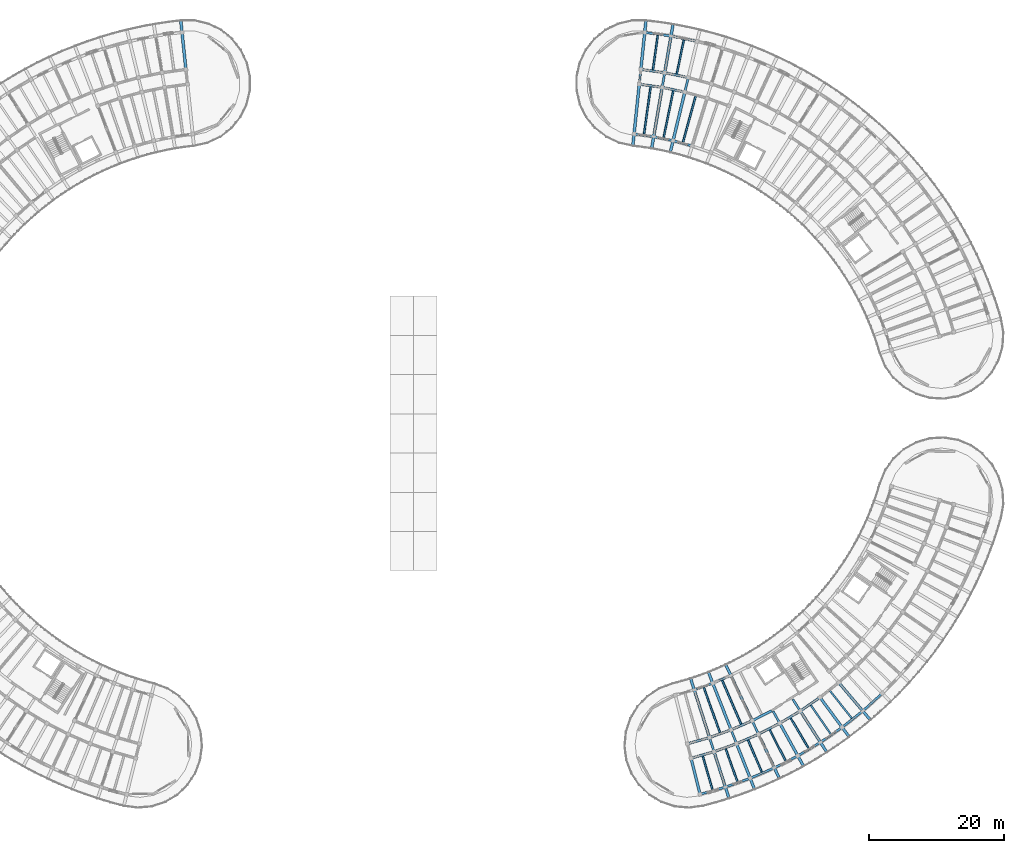
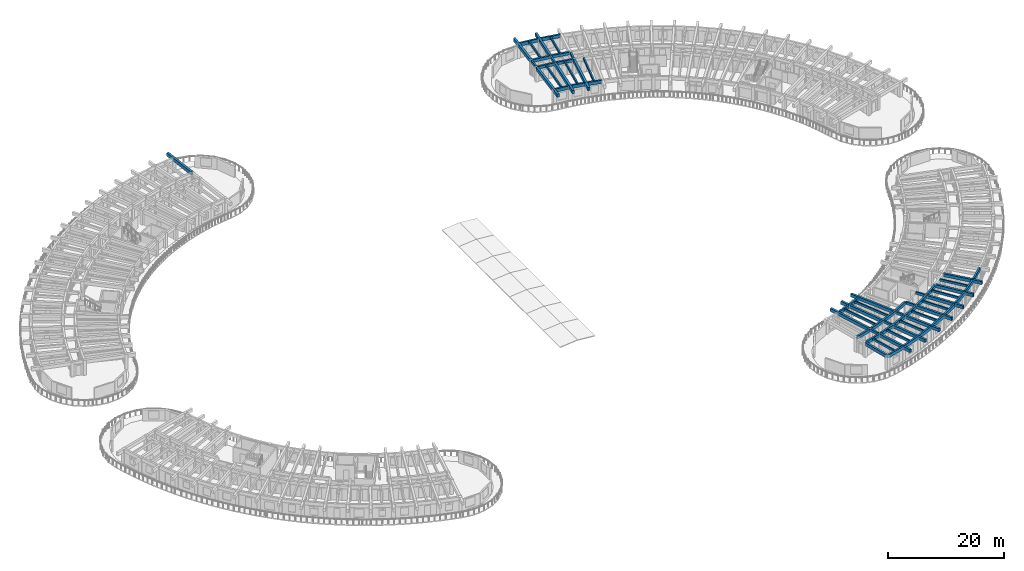
# One storey, part 11 of 69: 68 beams.
"""IFC4 building model written with IfcOpenShell, lengths in metres."""

from ifc_helpers import new_model, si_unit, direction, frame, origin, origin_2d, place, context, subcontext, project, spatial, rectangle, extrude, material, material_profile, profile_set, type_object, element, save


model = new_model("IFC4")

# Units and contexts
model_context = context("Model", 3, precision=1e-05, world=origin(), true_north=direction((0.0, 1.0)))
body_context = subcontext(model_context, "Body", "Model", "MODEL_VIEW")
ifc_project = project(units=[si_unit("LENGTHUNIT", "METRE"), si_unit("AREAUNIT", "SQUARE_METRE"), si_unit("VOLUMEUNIT", "CUBIC_METRE"), si_unit("PLANEANGLEUNIT", "RADIAN"), si_unit("MASSUNIT", "GRAM", prefix="KILO")], contexts=[model_context])

# Site, building, storey
site_placement = place(None, origin())
site = spatial("IfcSite", under=ifc_project, at=site_placement, CompositionType="ELEMENT")
building_placement = place(site_placement, origin())
building = spatial("IfcBuilding", under=site, at=building_placement, Name="Tanwirah Colonnade Gardens", CompositionType="ELEMENT")
storey_placement = place(building_placement, frame((0.0, 0.0, 15.56005859375)))
storey = spatial("IfcBuildingStorey", under=building, at=storey_placement, Name="L04", CompositionType="ELEMENT", Elevation=15.56005859375)

# Beams
ifc_material_1 = material(Name="Precast concrete C40/50", Category="concrete")
ifc_material_profile_1 = material_profile(ifc_material_1, rectangle(XDim=0.360107421875, YDim=0.610107421875, at=origin_2d()), Name="PC-BM 360x610")
ifc_profile_set_1 = profile_set([ifc_material_profile_1], Name="Precast concrete C40/50")
beam_type_1 = type_object("IfcBeamType", Name="BM-PC300", PredefinedType="BEAM", material=ifc_profile_set_1)
beam_1_placement = place(storey_placement, frame((133.68798828125, 14.231201171875, 2.804931640625), z_axis=(0.961865763464, 0.273521942585, 0.0), x_axis=(-0.273521942585, 0.961865763464, 0.0)))
element("IfcBeam", 1, at=beam_1_placement, inside=storey, type_object=beam_type_1, Name="Block D L04 Circumferential Beam 0-R1", PredefinedType="BEAM", context=body_context, shape_type="SweptSolid", body=[
    extrude(rectangle(XDim=0.360107421875, YDim=0.610107421875, at=origin_2d()), origin(), (0.0, 0.0, 1.0), 3.0927734375),
])
beam_2_placement = place(storey_placement, frame((134.22021484375, 12.096435546875, 2.804931640625), z_axis=(0.96185623635, 0.273555443366, 0.0), x_axis=(-0.273555443366, 0.96185623635, 0.0)))
element("IfcBeam", 2, at=beam_2_placement, inside=storey, type_object=beam_type_1, Name="Block D L04 Circumferential Beam 0-R2", PredefinedType="BEAM", context=body_context, shape_type="SweptSolid", body=[
    extrude(rectangle(XDim=0.360107421875, YDim=0.610107421875, at=origin_2d()), origin(), (0.0, 0.0, 1.0), 3.237060546875),
])
beam_3_placement = place(storey_placement, frame((136.948486328125, 15.168701171875, 2.804931640625), z_axis=(0.941911444877, 0.335861325564, 0.0), x_axis=(-0.335861325564, 0.941911444877, 0.0)))
element("IfcBeam", 3, at=beam_3_placement, inside=storey, type_object=beam_type_1, Name="Block D L04 Circumferential Beam 1-R1", PredefinedType="BEAM", context=body_context, shape_type="SweptSolid", body=[
    extrude(rectangle(XDim=0.360107421875, YDim=0.610107421875, at=origin_2d()), origin(), (0.0, 0.0, 1.0), 3.093017578125),
])
beam_4_placement = place(storey_placement, frame((137.619140625, 13.073486328125, 2.804931640625), z_axis=(0.941917534978, 0.335844245597, 0.0), x_axis=(-0.335844245597, 0.941917534978, 0.0)))
element("IfcBeam", 4, at=beam_4_placement, inside=storey, type_object=beam_type_1, Name="Block D L04 Circumferential Beam 1-R2", PredefinedType="BEAM", context=body_context, shape_type="SweptSolid", body=[
    extrude(rectangle(XDim=0.360107421875, YDim=0.610107421875, at=origin_2d()), origin(), (0.0, 0.0, 1.0), 3.237060546875),
])
beam_5_placement = place(storey_placement, frame((140.140869140625, 16.3173828125, 2.804931640625), z_axis=(0.917936292782, 0.396727819032, 0.0), x_axis=(-0.396727819032, 0.917936292782, 0.0)))
element("IfcBeam", 5, at=beam_5_placement, inside=storey, type_object=beam_type_1, Name="Block D L04 Circumferential Beam 2-R1", PredefinedType="BEAM", context=body_context, shape_type="SweptSolid", body=[
    extrude(rectangle(XDim=0.360107421875, YDim=0.610107421875, at=origin_2d()), origin(), (0.0, 0.0, 1.0), 3.093017578125),
])
beam_6_placement = place(storey_placement, frame((140.947021484375, 14.2705078125, 2.804931640625), z_axis=(0.917943156181, 0.396711938338, 0.0), x_axis=(-0.396711938338, 0.917943156181, 0.0)))
element("IfcBeam", 6, at=beam_6_placement, inside=storey, type_object=beam_type_1, Name="Block D L04 Circumferential Beam 2-R2", PredefinedType="BEAM", context=body_context, shape_type="SweptSolid", body=[
    extrude(rectangle(XDim=0.360107421875, YDim=0.610107421875, at=origin_2d()), origin(), (0.0, 0.0, 1.0), 3.237060546875),
])
beam_7_placement = place(storey_placement, frame((143.2509765625, 17.67236328125, 2.804931640625), z_axis=(0.890027741769, 0.45590637074, 0.0), x_axis=(-0.45590637074, 0.890027741769, 0.0)))
element("IfcBeam", 7, at=beam_7_placement, inside=storey, type_object=beam_type_1, Name="Block D L04 Circumferential Beam 3-R1", PredefinedType="BEAM", context=body_context, shape_type="SweptSolid", body=[
    extrude(rectangle(XDim=0.360107421875, YDim=0.610107421875, at=origin_2d()), origin(), (0.0, 0.0, 1.0), 3.093017578125),
])
beam_8_placement = place(storey_placement, frame((144.189453125, 15.6826171875, 2.804931640625), z_axis=(0.890025451153, 0.45591084249, 0.0), x_axis=(-0.45591084249, 0.890025451153, 0.0)))
element("IfcBeam", 8, at=beam_8_placement, inside=storey, type_object=beam_type_1, Name="Block D L04 Circumferential Beam 3-R2", PredefinedType="BEAM", context=body_context, shape_type="SweptSolid", body=[
    extrude(rectangle(XDim=0.360107421875, YDim=0.610107421875, at=origin_2d()), origin(), (0.0, 0.0, 1.0), 3.237060546875),
])
beam_9_placement = place(storey_placement, frame((147.332763671875, 17.3037109375, 2.804931640625), z_axis=(0.858270604513, 0.513197398111, 0.0), x_axis=(-0.513197398111, 0.858270604513, 0.0)))
element("IfcBeam", 9, at=beam_9_placement, inside=storey, type_object=beam_type_1, Name="Block D L04 Circumferential Beam 4-R2", PredefinedType="BEAM", context=body_context, shape_type="SweptSolid", body=[
    extrude(rectangle(XDim=0.360107421875, YDim=0.610107421875, at=origin_2d()), origin(), (0.0, 0.0, 1.0), 3.23681640625),
])
beam_10_placement = place(storey_placement, frame((150.363037109375, 19.126953125, 2.804931640625), z_axis=(0.822889344221, 0.568201660651, 0.0), x_axis=(-0.568201660651, 0.822889344221, 0.0)))
element("IfcBeam", 10, at=beam_10_placement, inside=storey, type_object=beam_type_1, Name="Block D L04 Circumferential Beam 5-R2", PredefinedType="BEAM", context=body_context, shape_type="SweptSolid", body=[
    extrude(rectangle(XDim=0.360107421875, YDim=0.610107421875, at=origin_2d()), origin(), (0.0, 0.0, 1.0), 3.237060546875),
])
ifc_material_profile_2 = material_profile(ifc_material_1, rectangle(XDim=0.320068359375, YDim=0.52001953125, at=origin_2d()), Name="PC-BM 320x520")
ifc_profile_set_2 = profile_set([ifc_material_profile_2], Name="Precast concrete C40/50")
beam_type_2 = type_object("IfcBeamType", Name="BM-PC320", PredefinedType="BEAM", material=ifc_profile_set_2)
for number, where, z_axis, x_axis, name in (
    (11, (133.188232421875, 110.75146484375, 2.849853515625), (0.234364199778, 0.972148868159, 0.0), (-0.972148868159, 0.234364199778, 0.0), "Block B L04 Corridor Tie Beam 16"),
    (12, (129.8310546875, 111.444580078125, 2.849853515625), (0.169855285462, 0.985469016256, 0.0), (-0.985469016256, 0.169855285462, 0.0), "Block B L04 Corridor Tie Beam 17"),
    (13, (126.435546875, 111.9150390625, 2.849853515625), (0.104464057197, 0.994528662611, 0.0), (-0.994528662611, 0.104464057197, 0.0), "Block B L04 Corridor Tie Beam 18"),
):
    element("IfcBeam", number, at=place(storey_placement, frame(where, z_axis=z_axis, x_axis=x_axis)), inside=storey, type_object=beam_type_2, Name=name, PredefinedType="BEAM", context=body_context, shape_type="SweptSolid", body=[
        extrude(rectangle(XDim=0.320068359375, YDim=0.52001953125, at=origin_2d()), origin(), (0.0, 0.0, 1.0), 1.900146484375),
    ])
beam_11_placement = place(storey_placement, frame((136.85302734375, 14.975341796875, 2.849853515625), z_axis=(0.304794376797, -0.952418179096, 0.0), x_axis=(0.952418179096, 0.304794376797, 0.0)))
element("IfcBeam", 14, at=beam_11_placement, inside=storey, type_object=beam_type_2, Name="Block D L04 Corridor Tie Beam 1", PredefinedType="BEAM", context=body_context, shape_type="SweptSolid", body=[
    extrude(rectangle(XDim=0.320068359375, YDim=0.52001953125, at=origin_2d()), origin(), (0.0, 0.0, 1.0), 1.89990234375),
])
beam_12_placement = place(storey_placement, frame((140.05810546875, 16.1181640625, 2.849853515625), z_axis=(0.366511033969, -0.930413704746, 0.0), x_axis=(0.930413704746, 0.366511033969, 0.0)))
element("IfcBeam", 15, at=beam_12_placement, inside=storey, type_object=beam_type_2, Name="Block D L04 Corridor Tie Beam 2", PredefinedType="BEAM", context=body_context, shape_type="SweptSolid", body=[
    extrude(rectangle(XDim=0.320068359375, YDim=0.52001953125, at=origin_2d()), origin(), (0.0, 0.0, 1.0), 1.899658203125),
])
beam_13_placement = place(storey_placement, frame((143.181640625, 17.46826171875, 2.849853515625), z_axis=(0.426483812015, -0.904495195172, 0.0), x_axis=(0.904495195172, 0.426483812015, 0.0)))
element("IfcBeam", 16, at=beam_13_placement, inside=storey, type_object=beam_type_2, Name="Block D L04 Corridor Tie Beam 3", PredefinedType="BEAM", context=body_context, shape_type="SweptSolid", body=[
    extrude(rectangle(XDim=0.320068359375, YDim=0.52001953125, at=origin_2d()), origin(), (0.0, 0.0, 1.0), 1.89990234375),
])
beam_14_placement = place(storey_placement, frame((146.210205078125, 19.019775390625, 2.849853515625), z_axis=(0.484791759649, -0.874629607192, 0.0), x_axis=(0.874629607192, 0.484791759649, 0.0)))
element("IfcBeam", 17, at=beam_14_placement, inside=storey, type_object=beam_type_2, Name="Block D L04 Corridor Tie Beam 4", PredefinedType="BEAM", context=body_context, shape_type="SweptSolid", body=[
    extrude(rectangle(XDim=0.320068359375, YDim=0.52001953125, at=origin_2d()), origin(), (0.0, 0.0, 1.0), 1.900146484375),
])
beam_15_placement = place(storey_placement, frame((149.130615234375, 20.765869140625, 2.849853515625), z_axis=(0.540984881989, -0.841032316537, 0.0), x_axis=(0.841032316537, 0.540984881989, 0.0)))
element("IfcBeam", 18, at=beam_15_placement, inside=storey, type_object=beam_type_2, Name="Block D L04 Corridor Tie Beam 5", PredefinedType="BEAM", context=body_context, shape_type="SweptSolid", body=[
    extrude(rectangle(XDim=0.320068359375, YDim=0.52001953125, at=origin_2d()), origin(), (0.0, 0.0, 1.0), 1.89990234375),
])
ifc_material_profile_3 = material_profile(ifc_material_1, rectangle(XDim=0.35009765625, YDim=0.60009765625, at=origin_2d()), Name="PC-BM 350x600")
ifc_profile_set_3 = profile_set([ifc_material_profile_3], Name="Precast concrete C40/50")
beam_type_3 = type_object("IfcBeamType", Name="BM-PC350B", PredefinedType="BEAM", material=ifc_profile_set_3)
beam_16_placement = place(storey_placement, frame((133.006103515625, 110.635986328125, 2.81005859375), z_axis=(-0.979335880607, 0.202240532428, 0.0), x_axis=(-0.202240532428, -0.979335880607, 0.0)))
element("IfcBeam", 19, at=beam_16_placement, inside=storey, type_object=beam_type_3, Name="Block B L04 Circumferential Beam 16-R1", PredefinedType="BEAM", context=body_context, shape_type="SweptSolid", body=[
    extrude(rectangle(XDim=0.35009765625, YDim=0.60009765625, at=origin_2d()), origin(), (0.0, 0.0, 1.0), 3.1181640625),
])
beam_17_placement = place(storey_placement, frame((133.521728515625, 112.774658203125, 2.81005859375), z_axis=(-0.979335599813, 0.202241892146, 0.0), x_axis=(-0.202241892146, -0.979335599813, 0.0)))
element("IfcBeam", 20, at=beam_17_placement, inside=storey, type_object=beam_type_3, Name="Block B L04 Circumferential Beam 16-R2", PredefinedType="BEAM", context=body_context, shape_type="SweptSolid", body=[
    extrude(rectangle(XDim=0.35009765625, YDim=0.60009765625, at=origin_2d()), origin(), (0.0, 0.0, 1.0), 3.262939453125),
])
beam_18_placement = place(storey_placement, frame((129.656982421875, 111.3173828125, 2.81005859375), z_axis=(-0.990535787723, 0.137254702069, 0.0), x_axis=(-0.137254702069, -0.990535787723, 0.0)))
element("IfcBeam", 21, at=beam_18_placement, inside=storey, type_object=beam_type_3, Name="Block B L04 Circumferential Beam 17-R1", PredefinedType="BEAM", context=body_context, shape_type="SweptSolid", body=[
    extrude(rectangle(XDim=0.35009765625, YDim=0.60009765625, at=origin_2d()), origin(), (0.0, 0.0, 1.0), 3.1181640625),
])
beam_19_placement = place(storey_placement, frame((130.030517578125, 113.4853515625, 2.81005859375), z_axis=(-0.990530465749, 0.13729310406, 0.0), x_axis=(-0.13729310406, -0.990530465749, 0.0)))
element("IfcBeam", 22, at=beam_19_placement, inside=storey, type_object=beam_type_3, Name="Block B L04 Circumferential Beam 17-R2", PredefinedType="BEAM", context=body_context, shape_type="SweptSolid", body=[
    extrude(rectangle(XDim=0.35009765625, YDim=0.60009765625, at=origin_2d()), origin(), (0.0, 0.0, 1.0), 3.26318359375),
])
ifc_material_2 = material(Name="Precast concrete C45/55", Category="concrete")
ifc_material_profile_4 = material_profile(ifc_material_2, rectangle(XDim=0.39990234375, YDim=0.64990234375, at=origin_2d()), Name="PC-BM 400x650")
ifc_profile_set_4 = profile_set([ifc_material_profile_4], Name="Precast concrete C45/55")
beam_type_4 = type_object("IfcBeamType", Name="BM-PC400", PredefinedType="BEAM", material=ifc_profile_set_4)
beam_20_placement = place(storey_placement, frame((134.112060546875, 11.909912109375, 2.784912109375), z_axis=(0.241939024015, -0.970291455522, 0.0), x_axis=(0.970291455522, 0.241939024015, 0.0)))
element("IfcBeam", 23, at=beam_20_placement, inside=storey, type_object=beam_type_4, Name="Block D L04 Outer Radial Precast Girder 0", PredefinedType="BEAM", context=body_context, shape_type="SweptSolid", body=[
    extrude(rectangle(XDim=0.39990234375, YDim=0.64990234375, at=origin_2d()), origin(), (0.0, 0.0, 1.0), 5.199951171875),
])
beam_21_placement = place(storey_placement, frame((136.761474609375, 15.26123046875, 2.784912109375), z_axis=(-0.304862826508, 0.952396270999, 0.0), x_axis=(-0.952396270999, -0.304862826508, 0.0)))
element("IfcBeam", 24, at=beam_21_placement, inside=storey, type_object=beam_type_4, Name="Block D L04 Inner Radial Precast Girder 1", PredefinedType="BEAM", context=body_context, shape_type="SweptSolid", body=[
    extrude(rectangle(XDim=0.39990234375, YDim=0.64990234375, at=origin_2d()), origin(), (0.0, 0.0, 1.0), 8.949951171875),
])
beam_22_placement = place(storey_placement, frame((137.523681640625, 12.880126953125, 2.784912109375), z_axis=(0.304849862001, -0.952400420851, 0.0), x_axis=(0.952400420851, 0.304849862001, 0.0)))
element("IfcBeam", 25, at=beam_22_placement, inside=storey, type_object=beam_type_4, Name="Block D L04 Outer Radial Precast Girder 1", PredefinedType="BEAM", context=body_context, shape_type="SweptSolid", body=[
    extrude(rectangle(XDim=0.39990234375, YDim=0.64990234375, at=origin_2d()), origin(), (0.0, 0.0, 1.0), 7.050048828125),
])
beam_23_placement = place(storey_placement, frame((139.947998046875, 16.3974609375, 2.784912109375), z_axis=(-0.36648945479, 0.930422204984, 0.0), x_axis=(-0.930422204984, -0.36648945479, 0.0)))
element("IfcBeam", 26, at=beam_23_placement, inside=storey, type_object=beam_type_4, Name="Block D L04 Inner Radial Precast Girder 2", PredefinedType="BEAM", context=body_context, shape_type="SweptSolid", body=[
    extrude(rectangle(XDim=0.39990234375, YDim=0.64990234375, at=origin_2d()), origin(), (0.0, 0.0, 1.0), 8.949951171875),
])
beam_24_placement = place(storey_placement, frame((140.8642578125, 14.0712890625, 2.784912109375), z_axis=(0.366525426804, -0.930408034953, 0.0), x_axis=(0.930408034953, 0.366525426804, 0.0)))
element("IfcBeam", 27, at=beam_24_placement, inside=storey, type_object=beam_type_4, Name="Block D L04 Outer Radial Precast Girder 2", PredefinedType="BEAM", context=body_context, shape_type="SweptSolid", body=[
    extrude(rectangle(XDim=0.39990234375, YDim=0.64990234375, at=origin_2d()), origin(), (0.0, 0.0, 1.0), 7.050048828125),
])
beam_25_placement = place(storey_placement, frame((143.0537109375, 17.73974609375, 2.784912109375), z_axis=(-0.426582468098, 0.904448670689, 0.0), x_axis=(-0.904448670689, -0.426582468098, 0.0)))
element("IfcBeam", 28, at=beam_25_placement, inside=storey, type_object=beam_type_4, Name="Block D L04 Inner Radial Precast Girder 3", PredefinedType="BEAM", context=body_context, shape_type="SweptSolid", body=[
    extrude(rectangle(XDim=0.39990234375, YDim=0.64990234375, at=origin_2d()), origin(), (0.0, 0.0, 1.0), 8.949951171875),
])
beam_26_placement = place(storey_placement, frame((144.1201171875, 15.478515625, 2.784912109375), z_axis=(0.426567365945, -0.904455793453, 0.0), x_axis=(0.904455793453, 0.426567365945, 0.0)))
element("IfcBeam", 29, at=beam_26_placement, inside=storey, type_object=beam_type_4, Name="Block D L04 Outer Radial Precast Girder 3", PredefinedType="BEAM", context=body_context, shape_type="SweptSolid", body=[
    extrude(rectangle(XDim=0.39990234375, YDim=0.64990234375, at=origin_2d()), origin(), (0.0, 0.0, 1.0), 7.050048828125),
])
beam_27_placement = place(storey_placement, frame((147.276611328125, 17.095703125, 2.784912109375), z_axis=(0.484804753745, -0.874622404667, 0.0), x_axis=(0.874622404667, 0.484804753745, 0.0)))
element("IfcBeam", 30, at=beam_27_placement, inside=storey, type_object=beam_type_4, Name="Block D L04 Outer Radial Precast Girder 4", PredefinedType="BEAM", context=body_context, shape_type="SweptSolid", body=[
    extrude(rectangle(XDim=0.39990234375, YDim=0.64990234375, at=origin_2d()), origin(), (0.0, 0.0, 1.0), 7.05029296875),
])
for number, where, z_axis, x_axis, name in (
    (31, (150.32080078125, 18.915771484375, 2.784912109375), (0.540976349149, -0.841037805132, 0.0), (0.841037805132, 0.540976349149, 0.0), "Block D L04 Outer Radial Precast Girder 5"),
    (32, (153.239501953125, 20.930908203125, 2.784912109375), (0.594806754627, -0.803868723518, 0.0), (0.803868723518, 0.594806754627, 0.0), "Block D L04 Outer Radial Precast Girder 6"),
    (33, (156.02001953125, 23.1328125, 2.784912109375), (0.646119193339, -0.763236521663, 0.0), (0.763236521663, 0.646119193339, 0.0), "Block D L04 Outer Radial Precast Girder 7"),
):
    element("IfcBeam", number, at=place(storey_placement, frame(where, z_axis=z_axis, x_axis=x_axis)), inside=storey, type_object=beam_type_4, Name=name, PredefinedType="BEAM", context=body_context, shape_type="SweptSolid", body=[
        extrude(rectangle(XDim=0.39990234375, YDim=0.64990234375, at=origin_2d()), origin(), (0.0, 0.0, 1.0), 7.050048828125),
    ])
ifc_material_profile_5 = material_profile(ifc_material_2, rectangle(XDim=0.419921875, YDim=0.679931640625, at=origin_2d()), Name="PC-BM 420x680")
ifc_profile_set_5 = profile_set([ifc_material_profile_5], Name="Precast concrete C45/55")
beam_type_5 = type_object("IfcBeamType", Name="BM-PC420", PredefinedType="BEAM", material=ifc_profile_set_5)
beam_28_placement = place(storey_placement, frame((59.33447265625, 114.10302734375, 2.77001953125), z_axis=(-0.104511730475, 0.994523653913, 0.0), x_axis=(-0.994523653913, -0.104511730475, 0.0)))
element("IfcBeam", 34, at=beam_28_placement, inside=storey, type_object=beam_type_5, Name="Block A L04 Outer Radial Precast Girder 0", PredefinedType="BEAM", context=body_context, shape_type="SweptSolid", body=[
    extrude(rectangle(XDim=0.419921875, YDim=0.679931640625, at=origin_2d()), origin(), (0.0, 0.0, 1.0), 7.050048828125),
])
for number, where, z_axis, x_axis, name in (
    (35, (133.117919921875, 110.459716796875, 2.77001953125), (-0.234401428133, -0.972139892448, 0.0), (0.972139892448, -0.234401428133, 0.0), "Block B L04 Inner Radial Precast Girder 16"),
    (36, (129.780029296875, 111.14892578125, 2.77001953125), (-0.169837490725, -0.985472083189, 0.0), (0.985472083189, -0.169837490725, 0.0), "Block B L04 Inner Radial Precast Girder 17"),
):
    element("IfcBeam", number, at=place(storey_placement, frame(where, z_axis=z_axis, x_axis=x_axis)), inside=storey, type_object=beam_type_5, Name=name, PredefinedType="BEAM", context=body_context, shape_type="SweptSolid", body=[
        extrude(rectangle(XDim=0.419921875, YDim=0.679931640625, at=origin_2d()), origin(), (0.0, 0.0, 1.0), 8.949951171875),
    ])
beam_29_placement = place(storey_placement, frame((130.20458984375, 113.61279296875, 2.77001953125), z_axis=(0.169826898404, 0.985473908624, 0.0), x_axis=(-0.985473908624, 0.169826898404, 0.0)))
element("IfcBeam", 37, at=beam_29_placement, inside=storey, type_object=beam_type_5, Name="Block B L04 Outer Radial Precast Girder 17", PredefinedType="BEAM", context=body_context, shape_type="SweptSolid", body=[
    extrude(rectangle(XDim=0.419921875, YDim=0.679931640625, at=origin_2d()), origin(), (0.0, 0.0, 1.0), 7.0498046875),
])
beam_30_placement = place(storey_placement, frame((126.404052734375, 111.61669921875, 2.77001953125), z_axis=(-0.104531425475, -0.994521584023, 0.0), x_axis=(0.994521584023, -0.104531425475, 0.0)))
element("IfcBeam", 38, at=beam_30_placement, inside=storey, type_object=beam_type_5, Name="Block B L04 Inner Radial Precast Girder 18", PredefinedType="BEAM", context=body_context, shape_type="SweptSolid", body=[
    extrude(rectangle(XDim=0.419921875, YDim=0.679931640625, at=origin_2d()), origin(), (0.0, 0.0, 1.0), 8.949951171875),
])
beam_31_placement = place(storey_placement, frame((126.66552734375, 114.10302734375, 2.77001953125), z_axis=(0.104511730475, 0.994523653913, 0.0), x_axis=(-0.994523653913, 0.104511730475, 0.0)))
element("IfcBeam", 39, at=beam_31_placement, inside=storey, type_object=beam_type_5, Name="Block B L04 Outer Radial Precast Girder 18", PredefinedType="BEAM", context=body_context, shape_type="SweptSolid", body=[
    extrude(rectangle(XDim=0.419921875, YDim=0.679931640625, at=origin_2d()), origin(), (0.0, 0.0, 1.0), 7.050048828125),
])
ifc_material_profile_6 = material_profile(ifc_material_1, rectangle(XDim=0.2548828125, YDim=0.455078125, at=origin_2d()), Name="PC-JST 255x455")
ifc_profile_set_6 = profile_set([ifc_material_profile_6], Name="Precast concrete C40/50")
beam_type_6 = type_object("IfcBeamType", Name="JST-PC240", PredefinedType="JOIST", material=ifc_profile_set_6)
for number, where, z_axis, x_axis, name in (
    (40, (135.817626953125, 12.39599609375, 2.88232421875), (0.27352550206, -0.961864751263, 0.0), (0.961864751263, 0.27352550206, 0.0), "Block D L04 Precast Floor Joist 0"),
    (41, (139.193603515625, 13.4765625, 2.88232421875), (0.335862957845, -0.941910862846, 0.0), (0.941910862846, 0.335862957845, 0.0), "Block D L04 Precast Floor Joist 1"),
):
    element("IfcBeam", number, at=place(storey_placement, frame(where, z_axis=z_axis, x_axis=x_axis)), inside=storey, type_object=beam_type_6, Name=name, PredefinedType="JOIST", context=body_context, shape_type="SweptSolid", body=[
        extrude(rectangle(XDim=0.2548828125, YDim=0.455078125, at=origin_2d()), origin(), (0.0, 0.0, 1.0), 5.260009765625),
    ])
beam_32_placement = place(storey_placement, frame((135.969482421875, 22.51904296875, 2.88232421875), z_axis=(0.335861148107, -0.941911508154, 0.0), x_axis=(0.941911508154, 0.335861148107, 0.0)))
element("IfcBeam", 42, at=beam_32_placement, inside=storey, type_object=beam_type_6, Name="Block D L04 Inner Precast Floor Joist 1", PredefinedType="JOIST", context=body_context, shape_type="SweptSolid", body=[
    extrude(rectangle(XDim=0.2548828125, YDim=0.455078125, at=origin_2d()), origin(), (0.0, 0.0, 1.0), 7.16015625),
])
beam_33_placement = place(storey_placement, frame((142.49169921875, 14.77587890625, 2.88232421875), z_axis=(0.396746282, -0.917928312952, 0.0), x_axis=(0.917928312952, 0.396746282, 0.0)))
element("IfcBeam", 43, at=beam_33_placement, inside=storey, type_object=beam_type_6, Name="Block D L04 Precast Floor Joist 2", PredefinedType="JOIST", context=body_context, shape_type="SweptSolid", body=[
    extrude(rectangle(XDim=0.2548828125, YDim=0.455078125, at=origin_2d()), origin(), (0.0, 0.0, 1.0), 5.260009765625),
])
beam_34_placement = place(storey_placement, frame((138.68310546875, 23.587890625, 2.88232421875), z_axis=(0.396736454079, -0.917932560706, 0.0), x_axis=(0.917932560706, 0.396736454079, 0.0)))
element("IfcBeam", 44, at=beam_34_placement, inside=storey, type_object=beam_type_6, Name="Block D L04 Inner Precast Floor Joist 2", PredefinedType="JOIST", context=body_context, shape_type="SweptSolid", body=[
    extrude(rectangle(XDim=0.2548828125, YDim=0.455078125, at=origin_2d()), origin(), (0.0, 0.0, 1.0), 7.159912109375),
])
for number, where, z_axis, x_axis, name in (
    (45, (145.697998046875, 16.287841796875, 2.88232421875), (0.455936851617, -0.890012127635, 0.0), (0.890012127635, 0.455936851617, 0.0), "Block D L04 Precast Floor Joist 3"),
    (46, (148.79833984375, 18.006591796875, 2.88232421875), (0.513157303227, -0.858294577721, 0.0), (0.858294577721, 0.513157303227, 0.0), "Block D L04 Precast Floor Joist 4"),
    (47, (151.779541015625, 19.924072265625, 2.88232421875), (0.56820792868, -0.822885016138, 0.0), (0.822885016138, 0.56820792868, 0.0), "Block D L04 Precast Floor Joist 5"),
    (48, (154.629150390625, 22.03271484375, 2.88232421875), (0.620787347885, -0.783978997617, 0.0), (0.783978997617, 0.620787347885, 0.0), "Block D L04 Precast Floor Joist 6"),
):
    element("IfcBeam", number, at=place(storey_placement, frame(where, z_axis=z_axis, x_axis=x_axis)), inside=storey, type_object=beam_type_6, Name=name, PredefinedType="JOIST", context=body_context, shape_type="SweptSolid", body=[
        extrude(rectangle(XDim=0.2548828125, YDim=0.455078125, at=origin_2d()), origin(), (0.0, 0.0, 1.0), 5.260009765625),
    ])
ifc_material_profile_7 = material_profile(ifc_material_1, rectangle(XDim=0.260009765625, YDim=0.4599609375, at=origin_2d()), Name="PC-JST 260x460")
ifc_profile_set_7 = profile_set([ifc_material_profile_7], Name="Precast concrete C40/50")
beam_type_7 = type_object("IfcBeamType", Name="JST-PC260", PredefinedType="JOIST", material=ifc_profile_set_7)
beam_35_placement = place(storey_placement, frame((132.869140625, 103.16064453125, 2.8798828125), z_axis=(0.266307034535, 0.963888252526, 0.0), x_axis=(-0.963888252526, 0.266307034535, 0.0)))
element("IfcBeam", 49, at=beam_35_placement, inside=storey, type_object=beam_type_7, Name="Block B L04 Inner Precast Floor Joist 15", PredefinedType="JOIST", context=body_context, shape_type="SweptSolid", body=[
    extrude(rectangle(XDim=0.260009765625, YDim=0.4599609375, at=origin_2d()), origin(), (0.0, 0.0, 1.0), 7.159912109375),
])
beam_36_placement = place(storey_placement, frame((131.9541015625, 113.2509765625, 2.8798828125), z_axis=(0.202235688429, 0.979336880918, 0.0), x_axis=(-0.979336880918, 0.202235688429, 0.0)))
element("IfcBeam", 50, at=beam_36_placement, inside=storey, type_object=beam_type_7, Name="Block B L04 Precast Floor Joist 16", PredefinedType="JOIST", context=body_context, shape_type="SweptSolid", body=[
    extrude(rectangle(XDim=0.260009765625, YDim=0.4599609375, at=origin_2d()), origin(), (0.0, 0.0, 1.0), 5.259765625),
])
beam_37_placement = place(storey_placement, frame((130.012939453125, 103.84912109375, 2.8798828125), z_axis=(0.202197428816, 0.979344780851, 0.0), x_axis=(-0.979344780851, 0.202197428816, 0.0)))
element("IfcBeam", 51, at=beam_37_placement, inside=storey, type_object=beam_type_7, Name="Block B L04 Inner Precast Floor Joist 16", PredefinedType="JOIST", context=body_context, shape_type="SweptSolid", body=[
    extrude(rectangle(XDim=0.260009765625, YDim=0.4599609375, at=origin_2d()), origin(), (0.0, 0.0, 1.0), 7.16015625),
])
beam_38_placement = place(storey_placement, frame((128.43505859375, 113.857421875, 2.8798828125), z_axis=(0.137248344923, 0.990536668587, 0.0), x_axis=(-0.990536668587, 0.137248344923, 0.0)))
element("IfcBeam", 52, at=beam_38_placement, inside=storey, type_object=beam_type_7, Name="Block B L04 Precast Floor Joist 17", PredefinedType="JOIST", context=body_context, shape_type="SweptSolid", body=[
    extrude(rectangle(XDim=0.260009765625, YDim=0.4599609375, at=origin_2d()), origin(), (0.0, 0.0, 1.0), 5.260009765625),
])
beam_39_placement = place(storey_placement, frame((127.117431640625, 104.34814453125, 2.8798828125), z_axis=(0.137243132462, 0.99053739081, 0.0), x_axis=(-0.99053739081, 0.137243132462, 0.0)))
element("IfcBeam", 53, at=beam_39_placement, inside=storey, type_object=beam_type_7, Name="Block B L04 Inner Precast Floor Joist 17", PredefinedType="JOIST", context=body_context, shape_type="SweptSolid", body=[
    extrude(rectangle(XDim=0.260009765625, YDim=0.4599609375, at=origin_2d()), origin(), (0.0, 0.0, 1.0), 7.16015625),
])
ifc_material_profile_8 = material_profile(ifc_material_1, rectangle(XDim=0.324951171875, YDim=0.68505859375, at=origin_2d()), Name="PC-SP 325x685")
ifc_profile_set_8 = profile_set([ifc_material_profile_8], Name="Precast concrete C40/50")
beam_type_8 = type_object("IfcBeamType", Name="SP-PC260", PredefinedType="SPANDREL", material=ifc_profile_set_8)
beam_40_placement = place(storey_placement, frame((135.55078125, 6.760009765625, 2.767333984375), z_axis=(0.96186131547, 0.273537583893, 0.0), x_axis=(-0.273537583893, 0.96186131547, 0.0)))
element("IfcBeam", 54, at=beam_40_placement, inside=storey, type_object=beam_type_8, Name="Block D L04 Circumferential Beam 0-R3", PredefinedType="SPANDREL", context=body_context, shape_type="SweptSolid", body=[
    extrude(rectangle(XDim=0.324951171875, YDim=0.68505859375, at=origin_2d()), origin(), (0.0, 0.0, 1.0), 3.596923828125),
])
beam_41_placement = place(storey_placement, frame((134.692626953125, 22.21630859375, 2.767333984375), z_axis=(0.941898499992, 0.335897626835, 0.0), x_axis=(-0.335897626835, 0.941898499992, 0.0)))
element("IfcBeam", 55, at=beam_41_placement, inside=storey, type_object=beam_type_8, Name="Block D L04 Circumferential Beam 1-R0", PredefinedType="SPANDREL", context=body_context, shape_type="SweptSolid", body=[
    extrude(rectangle(XDim=0.324951171875, YDim=0.68505859375, at=origin_2d()), origin(), (0.0, 0.0, 1.0), 2.608642578125),
])
beam_42_placement = place(storey_placement, frame((139.2958984375, 7.835205078125, 2.767333984375), z_axis=(0.941915315404, 0.335850470607, 0.0), x_axis=(-0.335850470607, 0.941915315404, 0.0)))
element("IfcBeam", 56, at=beam_42_placement, inside=storey, type_object=beam_type_8, Name="Block D L04 Circumferential Beam 1-R3", PredefinedType="SPANDREL", context=body_context, shape_type="SweptSolid", body=[
    extrude(rectangle(XDim=0.324951171875, YDim=0.68505859375, at=origin_2d()), origin(), (0.0, 0.0, 1.0), 3.596923828125),
])
beam_43_placement = place(storey_placement, frame((137.4287109375, 23.202392578125, 2.767333984375), z_axis=(0.917901260915, 0.396808864833, 0.0), x_axis=(-0.396808864833, 0.917901260915, 0.0)))
element("IfcBeam", 57, at=beam_43_placement, inside=storey, type_object=beam_type_8, Name="Block D L04 Circumferential Beam 2-R0", PredefinedType="SPANDREL", context=body_context, shape_type="SweptSolid", body=[
    extrude(rectangle(XDim=0.324951171875, YDim=0.68505859375, at=origin_2d()), origin(), (0.0, 0.0, 1.0), 2.608642578125),
])
for number, where, z_axis, x_axis, name in (
    (58, (142.962890625, 9.153076171875, 2.767333984375), (0.917925861765, 0.396751953118, 0.0), (-0.396751953118, 0.917925861765, 0.0), "Block D L04 Circumferential Beam 2-R3"),
    (59, (146.53564453125, 10.7080078125, 2.767333984375), (0.890013134589, 0.455934885985, 0.0), (-0.455934885985, 0.890013134589, 0.0), "Block D L04 Circumferential Beam 3-R3"),
    (60, (149.999267578125, 12.493408203125, 2.767333984375), (0.858282522832, 0.513177465407, 0.0), (-0.513177465407, 0.858282522832, 0.0), "Block D L04 Circumferential Beam 4-R3"),
):
    element("IfcBeam", number, at=place(storey_placement, frame(where, z_axis=z_axis, x_axis=x_axis)), inside=storey, type_object=beam_type_8, Name=name, PredefinedType="SPANDREL", context=body_context, shape_type="SweptSolid", body=[
        extrude(rectangle(XDim=0.324951171875, YDim=0.68505859375, at=origin_2d()), origin(), (0.0, 0.0, 1.0), 3.5966796875),
    ])
for number, where, z_axis, x_axis, name in (
    (61, (153.33837890625, 14.50146484375, 2.767333984375), (0.822907478943, 0.568175396423, 0.0), (-0.568175396423, 0.822907478943, 0.0), "Block D L04 Circumferential Beam 5-R3"),
    (62, (156.539306640625, 16.723388671875, 2.767333984375), (0.783971495357, 0.620796822211, 0.0), (-0.620796822211, 0.783971495357, 0.0), "Block D L04 Circumferential Beam 6-R3"),
    (63, (159.587890625, 19.150146484375, 2.767333984375), (0.741682092868, 0.670751573325, 0.0), (-0.670751573325, 0.741682092868, 0.0), "Block D L04 Circumferential Beam 7-R3"),
):
    element("IfcBeam", number, at=place(storey_placement, frame(where, z_axis=z_axis, x_axis=x_axis)), inside=storey, type_object=beam_type_8, Name=name, PredefinedType="SPANDREL", context=body_context, shape_type="SweptSolid", body=[
        extrude(rectangle(XDim=0.324951171875, YDim=0.68505859375, at=origin_2d()), origin(), (0.0, 0.0, 1.0), 3.596923828125),
    ])
ifc_material_profile_9 = material_profile(ifc_material_1, rectangle(XDim=0.3349609375, YDim=0.695068359375, at=origin_2d()), Name="PC-SP 335x695")
ifc_profile_set_9 = profile_set([ifc_material_profile_9], Name="Precast concrete C40/50")
beam_type_9 = type_object("IfcBeamType", Name="SP-PC300", PredefinedType="SPANDREL", material=ifc_profile_set_9)
for number, where, z_axis, x_axis, name in (
    (64, (134.098388671875, 102.67138671875, 2.762451171875), (-0.96388669146, 0.266312684688, 0.0), (-0.266312684688, -0.96388669146, 0.0), "Block B L04 Circumferential Beam 15-R0"),
    (65, (131.271728515625, 103.442138671875, 2.762451171875), (-0.979351764611, 0.202163599974, 0.0), (-0.202163599974, -0.979351764611, 0.0), "Block B L04 Circumferential Beam 16-R0"),
):
    element("IfcBeam", number, at=place(storey_placement, frame(where, z_axis=z_axis, x_axis=x_axis)), inside=storey, type_object=beam_type_9, Name=name, PredefinedType="SPANDREL", context=body_context, shape_type="SweptSolid", body=[
        extrude(rectangle(XDim=0.3349609375, YDim=0.695068359375, at=origin_2d()), origin(), (0.0, 0.0, 1.0), 2.630126953125),
    ])
beam_44_placement = place(storey_placement, frame((134.810791015625, 118.121337890625, 2.762451171875), z_axis=(-0.979328544205, 0.202276055197, 0.0), x_axis=(-0.202276055197, -0.979328544205, 0.0)))
element("IfcBeam", 66, at=beam_44_placement, inside=storey, type_object=beam_type_9, Name="Block B L04 Circumferential Beam 16-R3", PredefinedType="SPANDREL", context=body_context, shape_type="SweptSolid", body=[
    extrude(rectangle(XDim=0.3349609375, YDim=0.695068359375, at=origin_2d()), origin(), (0.0, 0.0, 1.0), 3.625732421875),
])
beam_45_placement = place(storey_placement, frame((128.400146484375, 104.02490234375, 2.762451171875), z_axis=(-0.990531232354, 0.13728757311, 0.0), x_axis=(-0.13728757311, -0.990531232354, 0.0)))
element("IfcBeam", 67, at=beam_45_placement, inside=storey, type_object=beam_type_9, Name="Block B L04 Circumferential Beam 17-R0", PredefinedType="SPANDREL", context=body_context, shape_type="SweptSolid", body=[
    extrude(rectangle(XDim=0.3349609375, YDim=0.695068359375, at=origin_2d()), origin(), (0.0, 0.0, 1.0), 2.630126953125),
])
beam_46_placement = place(storey_placement, frame((130.964599609375, 118.905517578125, 2.762451171875), z_axis=(-0.990538603978, 0.137234376268, 0.0), x_axis=(-0.137234376268, -0.990538603978, 0.0)))
element("IfcBeam", 68, at=beam_46_placement, inside=storey, type_object=beam_type_9, Name="Block B L04 Circumferential Beam 17-R3", PredefinedType="SPANDREL", context=body_context, shape_type="SweptSolid", body=[
    extrude(rectangle(XDim=0.3349609375, YDim=0.695068359375, at=origin_2d()), origin(), (0.0, 0.0, 1.0), 3.625732421875),
])

save(model, "model.ifc")
